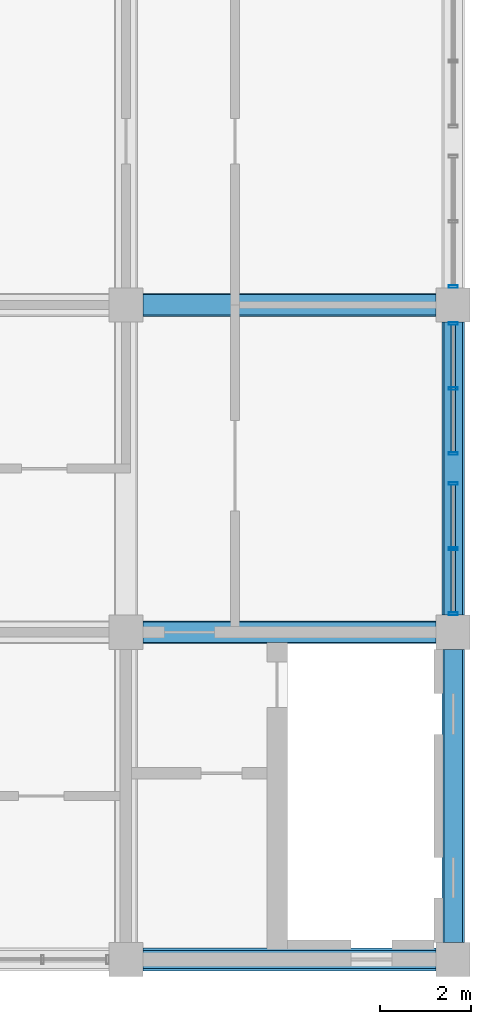
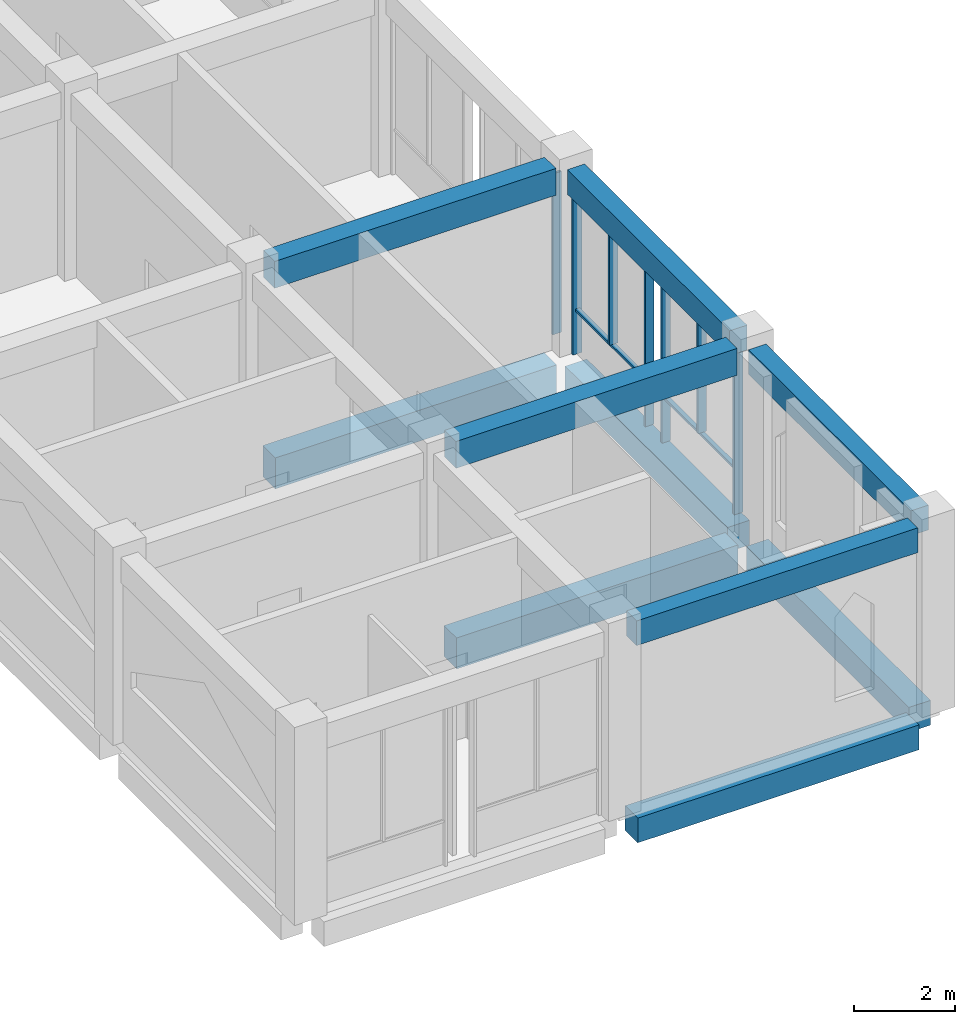
# One storey, part 16 of 39: 10 beams, 9 members, 3 elements without a shape of their own.
"""IFC4 building model written with IfcOpenShell, lengths in metres."""

from ifc_helpers import new_model, si_unit, direction, frame, origin, origin_2d, place, context, subcontext, project, spatial, rectangle, hollow_rectangle, extrude, material, material_profile, profile_set, type_object, element, aggregate, save


model = new_model("IFC4")

# Units and contexts
model_context = context("Model", 3, precision=1e-05, world=origin(), true_north=direction((0.0, 1.0)))
body_context = subcontext(model_context, "Body", "Model", "MODEL_VIEW")
ifc_project = project(units=[si_unit("LENGTHUNIT", "METRE"), si_unit("AREAUNIT", "SQUARE_METRE"), si_unit("VOLUMEUNIT", "CUBIC_METRE"), si_unit("PLANEANGLEUNIT", "RADIAN"), si_unit("MASSUNIT", "GRAM", prefix="KILO")], contexts=[model_context])

# Site, building, storey
site_placement = place(None, origin())
site = spatial("IfcSite", under=ifc_project, at=site_placement, CompositionType="ELEMENT")
building_placement = place(site_placement, origin())
building = spatial("IfcBuilding", under=site, at=building_placement, Name="Silangan Lancet Faculty of Sciences", CompositionType="ELEMENT")
storey_placement = place(building_placement, frame((0.0, 0.0, 26.39990234375)))
storey = spatial("IfcBuildingStorey", under=building, at=storey_placement, Name="L05", CompositionType="ELEMENT", Elevation=26.39990234375)

# Beams
ifc_material_1 = material(Name="Concrete C40/50", Category="concrete")
ifc_material_profile_1 = material_profile(ifc_material_1, rectangle(XDim=0.39990234375, YDim=0.60009765625, at=origin_2d()), Name="RC 400x600")
ifc_profile_set_1 = profile_set([ifc_material_profile_1], Name="Concrete C40/50")
beam_type_1 = type_object("IfcBeamType", Name="BEAM RC 400x600", PredefinedType="BEAM", material=ifc_profile_set_1)
for number, where, z_axis, x_axis, name in (
    (1, (79.574951171875, 0.0, 4.2001953125), (1.0, 0.0, 0.0), (0.0, 1.0, 0.0), "RB-L05-12A-13A"),
    (2, (86.39990234375, 0.375, 4.2001953125), (0.0, 1.0, 0.0), (-1.0, 0.0, 0.0), "RB-L05-13A-13B"),
    (3, (86.39990234375, 7.574951171875, 4.2001953125), (0.0, 1.0, 0.0), (-1.0, 0.0, 0.0), "RB-L05-13B-13C"),
):
    element("IfcBeam", number, at=place(storey_placement, frame(where, z_axis=z_axis, x_axis=x_axis)), inside=storey, type_object=beam_type_1, Name=name, PredefinedType="BEAM", context=body_context, shape_type="SweptSolid", body=[
        extrude(rectangle(XDim=0.39990234375, YDim=0.60009765625, at=origin_2d()), origin(), (0.0, 0.0, 1.0), 6.449951171875),
    ])
ifc_material_2 = material(Name="Concrete C40/50", Category="concrete")
ifc_material_profile_2 = material_profile(ifc_material_2, rectangle(XDim=0.449951171875, YDim=0.64990234375, at=origin_2d()), Name="RC 450x650")
ifc_profile_set_2 = profile_set([ifc_material_profile_2], Name="Concrete C40/50")
beam_type_2 = type_object("IfcBeamType", Name="BEAM RC 450x650", PredefinedType="BEAM", material=ifc_profile_set_2)
for number, where, z_axis, x_axis, name in (
    (4, (79.574951171875, 7.199951171875, 4.175048828125), (1.0, 0.0, 0.0), (0.0, 1.0, 0.0), "RB-L05-12B-13B"),
    (5, (79.574951171875, 14.39990234375, 4.175048828125), (1.0, 0.0, 0.0), (0.0, 1.0, 0.0), "RB-L05-12C-13C"),
):
    element("IfcBeam", number, at=place(storey_placement, frame(where, z_axis=z_axis, x_axis=x_axis)), inside=storey, type_object=beam_type_2, Name=name, PredefinedType="BEAM", context=body_context, shape_type="SweptSolid", body=[
        extrude(rectangle(XDim=0.449951171875, YDim=0.64990234375, at=origin_2d()), origin(), (0.0, 0.0, 1.0), 6.449951171875),
    ])
ifc_material_3 = material(Name="Concrete C40/50", Category="concrete")
ifc_material_profile_3 = material_profile(ifc_material_3, rectangle(XDim=0.5, YDim=0.60009765625, at=origin_2d()), Name="RC 500x600")
ifc_profile_set_3 = profile_set([ifc_material_profile_3], Name="Concrete C40/50")
beam_type_3 = type_object("IfcBeamType", Name="BEAM RC 500x600", PredefinedType="BEAM", material=ifc_profile_set_3)
for number, where, z_axis, x_axis, name in (
    (6, (79.574951171875, 0.0, -0.5498046875), (1.0, 0.0, 0.0), (0.0, 1.0, 0.0), "BM-L05-12A-13A"),
    (7, (86.39990234375, 0.375, -0.5498046875), (0.0, 1.0, 0.0), (-1.0, 0.0, 0.0), "BM-L05-13A-13B"),
    (8, (86.39990234375, 7.574951171875, -0.5498046875), (0.0, 1.0, 0.0), (-1.0, 0.0, 0.0), "BM-L05-13B-13C"),
):
    element("IfcBeam", number, at=place(storey_placement, frame(where, z_axis=z_axis, x_axis=x_axis)), inside=storey, type_object=beam_type_3, Name=name, PredefinedType="BEAM", context=body_context, shape_type="SweptSolid", body=[
        extrude(rectangle(XDim=0.5, YDim=0.60009765625, at=origin_2d()), origin(), (0.0, 0.0, 1.0), 6.449951171875),
    ])
ifc_material_4 = material(Name="Concrete C40/50", Category="concrete")
ifc_material_profile_4 = material_profile(ifc_material_4, rectangle(XDim=0.5, YDim=0.75, at=origin_2d()), Name="RC 500x750")
ifc_profile_set_4 = profile_set([ifc_material_profile_4], Name="Concrete C40/50")
beam_type_4 = type_object("IfcBeamType", Name="BEAM RC 500x750", PredefinedType="BEAM", material=ifc_profile_set_4)
for number, where, z_axis, x_axis, name in (
    (9, (79.574951171875, 7.199951171875, -0.625), (1.0, 0.0, 0.0), (0.0, 1.0, 0.0), "BM-L05-12B-13B"),
    (10, (79.574951171875, 14.39990234375, -0.625), (1.0, 0.0, 0.0), (0.0, 1.0, 0.0), "BM-L05-12C-13C"),
):
    element("IfcBeam", number, at=place(storey_placement, frame(where, z_axis=z_axis, x_axis=x_axis)), inside=storey, type_object=beam_type_4, Name=name, PredefinedType="BEAM", context=body_context, shape_type="SweptSolid", body=[
        extrude(rectangle(XDim=0.5, YDim=0.75, at=origin_2d()), origin(), (0.0, 0.0, 1.0), 6.449951171875),
    ])

# Curtain wall, members
ifc_material_5 = material(Name="Aluminium framed curtain wall with insulated glass", Category="aluminium")
curtain_wall_type = type_object("IfcCurtainWallType", Name="CW1 Commons and east block glazing", PredefinedType="NOTDEFINED", material=ifc_material_5)
curtain_wall_1_placement = place(storey_placement, origin())
curtain_wall_1 = element("IfcCurtainWall", 11, at=curtain_wall_1_placement, inside=storey, type_object=curtain_wall_type, Name="CW1 East commons L05 bay 1", PredefinedType="NOTDEFINED")
ifc_material_6 = material(Name="Aluminium 6063-T6 extrusion", Category="aluminium")
ifc_material_profile_5 = material_profile(ifc_material_6, hollow_rectangle(XDim=0.06005859375, YDim=0.199951171875, WallThickness=0.00390625, at=origin_2d()), Name="AL BOX 60x200x4")
ifc_profile_set_5 = profile_set([ifc_material_profile_5], Name="Aluminium 6063-T6 extrusion")
member_type_1 = type_object("IfcMemberType", Name="CM1 Mullion 60x200", PredefinedType="MULLION", material=ifc_profile_set_5)
member_1_placement = place(storey_placement, frame((86.39990234375, 7.60498046875, 0.0), z_axis=(0.0, 0.0, 1.0), x_axis=(0.0, 1.0, 0.0)))
member_1 = element("IfcMember", 12, at=member_1_placement, type_object=member_type_1, Name="CW1 East commons L05 bay 1 mullion 1", PredefinedType="MULLION", context=body_context, shape_type="SweptSolid", body=[
    extrude(hollow_rectangle(XDim=0.06005859375, YDim=0.199951171875, WallThickness=0.00390625, at=origin_2d()), origin(), (0.0, 0.0, 1.0), 3.900146484375),
])
member_2_placement = place(storey_placement, frame((86.39990234375, 10.469970703125, 0.0), z_axis=(0.0, 0.0, 1.0), x_axis=(0.0, 1.0, 0.0)))
member_2 = element("IfcMember", 13, at=member_2_placement, type_object=member_type_1, Name="CW1 East commons L05 bay 1 mullion 2", PredefinedType="MULLION", context=body_context, shape_type="SweptSolid", body=[
    extrude(hollow_rectangle(XDim=0.06005859375, YDim=0.199951171875, WallThickness=0.00390625, at=origin_2d()), origin(), (0.0, 0.0, 1.0), 3.900146484375),
])
member_3_placement = place(storey_placement, frame((86.39990234375, 9.03759765625, 1.10009765625), z_axis=(0.0, 0.0, 1.0), x_axis=(0.0, 1.0, 0.0)))
member_3 = element("IfcMember", 14, at=member_3_placement, type_object=member_type_1, Name="CW1 East commons L05 bay 1 mullion 3", PredefinedType="MULLION", context=body_context, shape_type="SweptSolid", body=[
    extrude(hollow_rectangle(XDim=0.06005859375, YDim=0.199951171875, WallThickness=0.00390625, at=origin_2d()), origin(), (0.0, 0.0, 1.0), 2.800048828125),
])

curtain_wall_2_placement = place(storey_placement, origin())
curtain_wall_2 = element("IfcCurtainWall", 15, at=curtain_wall_2_placement, inside=storey, type_object=curtain_wall_type, Name="CW1 East commons L05 bay 2", PredefinedType="NOTDEFINED")
member_4_placement = place(storey_placement, frame((86.39990234375, 11.1298828125, 0.0), z_axis=(0.0, 0.0, 1.0), x_axis=(0.0, 1.0, 0.0)))
member_4 = element("IfcMember", 16, at=member_4_placement, type_object=member_type_1, Name="CW1 East commons L05 bay 2 mullion 1", PredefinedType="MULLION", context=body_context, shape_type="SweptSolid", body=[
    extrude(hollow_rectangle(XDim=0.06005859375, YDim=0.199951171875, WallThickness=0.00390625, at=origin_2d()), origin(), (0.0, 0.0, 1.0), 3.900146484375),
])
member_5_placement = place(storey_placement, frame((86.39990234375, 13.9951171875, 0.0), z_axis=(0.0, 0.0, 1.0), x_axis=(0.0, 1.0, 0.0)))
member_5 = element("IfcMember", 17, at=member_5_placement, type_object=member_type_1, Name="CW1 East commons L05 bay 2 mullion 2", PredefinedType="MULLION", context=body_context, shape_type="SweptSolid", body=[
    extrude(hollow_rectangle(XDim=0.06005859375, YDim=0.199951171875, WallThickness=0.00390625, at=origin_2d()), origin(), (0.0, 0.0, 1.0), 3.900146484375),
])
member_6_placement = place(storey_placement, frame((86.39990234375, 12.5625, 1.10009765625), z_axis=(0.0, 0.0, 1.0), x_axis=(0.0, 1.0, 0.0)))
member_6 = element("IfcMember", 18, at=member_6_placement, type_object=member_type_1, Name="CW1 East commons L05 bay 2 mullion 3", PredefinedType="MULLION", context=body_context, shape_type="SweptSolid", body=[
    extrude(hollow_rectangle(XDim=0.06005859375, YDim=0.199951171875, WallThickness=0.00390625, at=origin_2d()), origin(), (0.0, 0.0, 1.0), 2.800048828125),
])

# Curtain wall, member
curtain_wall_3_placement = place(storey_placement, origin())
curtain_wall_3 = element("IfcCurtainWall", 19, at=curtain_wall_3_placement, inside=storey, type_object=curtain_wall_type, Name="CW1 East commons L05 bay 3", PredefinedType="NOTDEFINED")
member_7_placement = place(storey_placement, frame((86.39990234375, 14.804931640625, 0.0), z_axis=(0.0, 0.0, 1.0), x_axis=(0.0, 1.0, 0.0)))
member_7 = element("IfcMember", 20, at=member_7_placement, type_object=member_type_1, Name="CW1 East commons L05 bay 3 mullion 1", PredefinedType="MULLION", context=body_context, shape_type="SweptSolid", body=[
    extrude(hollow_rectangle(XDim=0.06005859375, YDim=0.199951171875, WallThickness=0.00390625, at=origin_2d()), origin(), (0.0, 0.0, 1.0), 3.900146484375),
])
aggregate(curtain_wall_3, [member_7])

# Member
ifc_material_7 = material(Name="Aluminium 6063-T6 extrusion", Category="aluminium")
ifc_material_profile_6 = material_profile(ifc_material_7, hollow_rectangle(XDim=0.10009765625, YDim=0.06005859375, WallThickness=0.0029296875, at=origin_2d()), Name="AL BOX 100x60x3")
ifc_profile_set_6 = profile_set([ifc_material_profile_6], Name="Aluminium 6063-T6 extrusion")
member_type_2 = type_object("IfcMemberType", Name="CT1 Transom 100x60", PredefinedType="USERDEFINED", material=ifc_profile_set_6)
member_8_placement = place(storey_placement, frame((86.39990234375, 7.635009765625, 1.070068359375), z_axis=(0.0, 1.0, 0.0), x_axis=(-1.0, 0.0, 0.0)))
member_8 = element("IfcMember", 21, at=member_8_placement, type_object=member_type_2, Name="CW1 East commons L05 bay 1 transom 1", ObjectType="TRANSOM", PredefinedType="USERDEFINED", context=body_context, shape_type="SweptSolid", body=[
    extrude(hollow_rectangle(XDim=0.10009765625, YDim=0.06005859375, WallThickness=0.0029296875, at=origin_2d()), origin(), (0.0, 0.0, 1.0), 2.804931640625),
])

aggregate(curtain_wall_1, [member_1, member_2, member_3, member_8])

member_9_placement = place(storey_placement, frame((86.39990234375, 11.159912109375, 1.070068359375), z_axis=(0.0, 1.0, 0.0), x_axis=(-1.0, 0.0, 0.0)))
member_9 = element("IfcMember", 22, at=member_9_placement, type_object=member_type_2, Name="CW1 East commons L05 bay 2 transom 1", ObjectType="TRANSOM", PredefinedType="USERDEFINED", context=body_context, shape_type="SweptSolid", body=[
    extrude(hollow_rectangle(XDim=0.10009765625, YDim=0.06005859375, WallThickness=0.0029296875, at=origin_2d()), origin(), (0.0, 0.0, 1.0), 2.80517578125),
])

aggregate(curtain_wall_2, [member_4, member_5, member_6, member_9])

save(model, "model.ifc")
